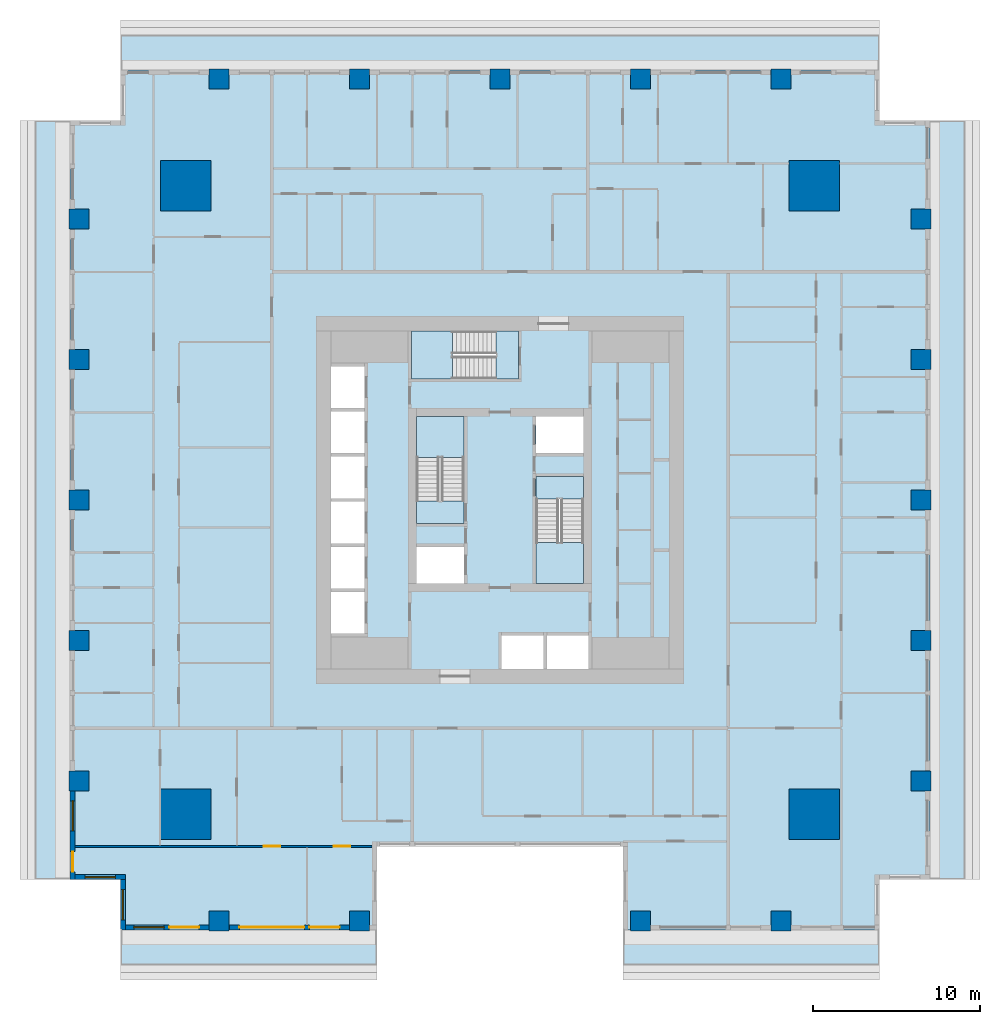
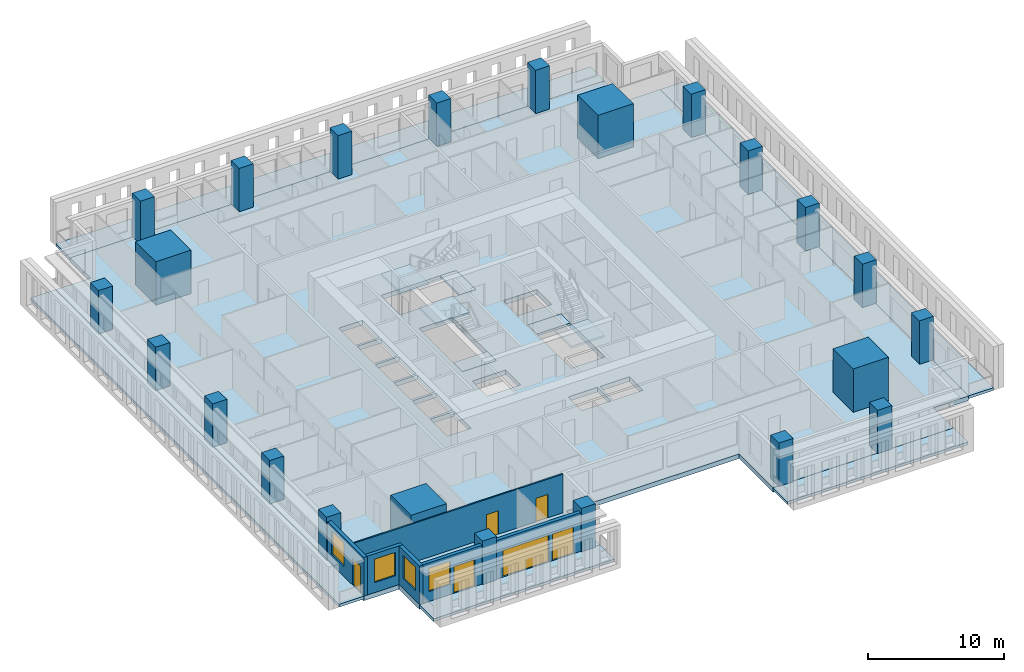
# One storey, part 1 of 15: 23 columns, 12 slabs, 6 doors, 6 walls, 4 windows, 10 openings, 3 elements without a shape of their own.
"""IFC4 building model written with IfcOpenShell, lengths in metres."""

from ifc_helpers import new_model, si_unit, direction, frame, frame_2d, origin, origin_2d, place, context, subcontext, project, spatial, polyline, rectangle, outline, extrude, material, layer, layer_set, material_profile, profile_set, type_object, element, fill, aggregate, save


model = new_model("IFC4")

# Units and contexts
model_context = context("Model", 3, precision=1e-05, world=origin(), true_north=direction((0.0, 1.0)))
body_context = subcontext(model_context, "Body", "Model", "MODEL_VIEW")
ifc_project = project(units=[si_unit("LENGTHUNIT", "METRE"), si_unit("AREAUNIT", "SQUARE_METRE"), si_unit("VOLUMEUNIT", "CUBIC_METRE"), si_unit("PLANEANGLEUNIT", "RADIAN"), si_unit("MASSUNIT", "GRAM", prefix="KILO")], contexts=[model_context])

# Site, building, storey
site_placement = place(None, origin())
site = spatial("IfcSite", under=ifc_project, at=site_placement, CompositionType="ELEMENT")
building_placement = place(site_placement, origin())
building = spatial("IfcBuilding", under=site, at=building_placement, Name="Khepri Terraces", CompositionType="ELEMENT")
storey_placement = place(building_placement, frame((0.0, 0.0, 46.5)))
storey = spatial("IfcBuildingStorey", under=building, at=storey_placement, Name="L10", CompositionType="ELEMENT", Elevation=46.5)

# Columns
ifc_material_1 = material(Name="Concrete C80/95", Category="concrete")
ifc_material_profile_1 = material_profile(ifc_material_1, rectangle(XDim=3.0, YDim=3.0, at=origin_2d()), Name="Concrete C80/95", Category="concrete")
ifc_profile_set_1 = profile_set([ifc_material_profile_1], Name="Concrete C80/95")
column_type_1 = type_object("IfcColumnType", Name="Mega column RC 3000x3000 C80/95", PredefinedType="COLUMN", material=ifc_profile_set_1)
for number, where, z_axis, x_axis, name in (
    (1, (18.800048828125, 18.800048828125, 0.0), (0.0, 0.0, 1.0), (1.0, 0.0, 0.0), "Mega column MEN L10"),
    (2, (18.800048828125, -18.800048828125, 0.0), (0.0, 0.0, 1.0), (1.0, 0.0, 0.0), "Mega column MES L10"),
    (3, (-18.800048828125, 18.800048828125, 0.0), (0.0, 0.0, 1.0), (1.0, 0.0, 0.0), "Mega column MWN L10"),
    (4, (-18.800048828125, -18.800048828125, 0.0), (0.0, 0.0, 1.0), (1.0, 0.0, 0.0), "Mega column MWS L10"),
):
    element("IfcColumn", number, at=place(storey_placement, frame(where, z_axis=z_axis, x_axis=x_axis)), inside=storey, type_object=column_type_1, Name=name, PredefinedType="COLUMN", context=body_context, shape_type="SweptSolid", body=[
        extrude(rectangle(XDim=3.0, YDim=3.0, at=origin_2d()), origin(), (0.0, 0.0, 1.0), 3.89990234375),
    ])
ifc_material_profile_2 = material_profile(ifc_material_1, rectangle(XDim=1.199951171875, YDim=1.199951171875, at=origin_2d()), Name="Concrete C80/95", Category="concrete")
ifc_profile_set_2 = profile_set([ifc_material_profile_2], Name="Concrete C80/95")
column_type_2 = type_object("IfcColumnType", Name="Tower column RC 1200x1200 C80/95", PredefinedType="COLUMN", material=ifc_profile_set_2)
for number, where, z_axis, x_axis, name in (
    (5, (25.199951171875, 0.0, 0.0), (0.0, 0.0, 1.0), (1.0, 0.0, 0.0), "Perimeter column PE+000a L10"),
    (6, (25.199951171875, 8.39990234375, 0.0), (0.0, 0.0, 1.0), (1.0, 0.0, 0.0), "Perimeter column PE+084a L10"),
    (7, (25.199951171875, 16.800048828125, 0.0), (0.0, 0.0, 1.0), (1.0, 0.0, 0.0), "Perimeter column PE+168a L10"),
    (8, (25.199951171875, -8.39990234375, 0.0), (0.0, 0.0, 1.0), (1.0, 0.0, 0.0), "Perimeter column PE-084a L10"),
    (9, (25.199951171875, -16.800048828125, 0.0), (0.0, 0.0, 1.0), (1.0, 0.0, 0.0), "Perimeter column PE-168a L10"),
    (10, (0.0, 25.199951171875, 0.0), (0.0, 0.0, 1.0), (1.0, 0.0, 0.0), "Perimeter column PN+000a L10"),
    (11, (-8.39990234375, 25.199951171875, 0.0), (0.0, 0.0, 1.0), (1.0, 0.0, 0.0), "Perimeter column PN+084a L10"),
    (12, (-16.800048828125, 25.199951171875, 0.0), (0.0, 0.0, 1.0), (1.0, 0.0, 0.0), "Perimeter column PN+168a L10"),
    (13, (8.39990234375, 25.199951171875, 0.0), (0.0, 0.0, 1.0), (1.0, 0.0, 0.0), "Perimeter column PN-084a L10"),
    (14, (16.800048828125, 25.199951171875, 0.0), (0.0, 0.0, 1.0), (1.0, 0.0, 0.0), "Perimeter column PN-168a L10"),
    (15, (8.39990234375, -25.199951171875, 0.0), (0.0, 0.0, 1.0), (1.0, 0.0, 0.0), "Perimeter column PS+084a L10"),
    (16, (16.800048828125, -25.199951171875, 0.0), (0.0, 0.0, 1.0), (1.0, 0.0, 0.0), "Perimeter column PS+168a L10"),
    (17, (-8.39990234375, -25.199951171875, 0.0), (0.0, 0.0, 1.0), (1.0, 0.0, 0.0), "Perimeter column PS-084a L10"),
    (18, (-16.800048828125, -25.199951171875, 0.0), (0.0, 0.0, 1.0), (1.0, 0.0, 0.0), "Perimeter column PS-168a L10"),
    (19, (-25.199951171875, 0.0, 0.0), (0.0, 0.0, 1.0), (1.0, 0.0, 0.0), "Perimeter column PW+000a L10"),
    (20, (-25.199951171875, -8.39990234375, 0.0), (0.0, 0.0, 1.0), (1.0, 0.0, 0.0), "Perimeter column PW+084a L10"),
    (21, (-25.199951171875, -16.800048828125, 0.0), (0.0, 0.0, 1.0), (1.0, 0.0, 0.0), "Perimeter column PW+168a L10"),
    (22, (-25.199951171875, 8.39990234375, 0.0), (0.0, 0.0, 1.0), (1.0, 0.0, 0.0), "Perimeter column PW-084a L10"),
    (23, (-25.199951171875, 16.800048828125, 0.0), (0.0, 0.0, 1.0), (1.0, 0.0, 0.0), "Perimeter column PW-168a L10"),
):
    element("IfcColumn", number, at=place(storey_placement, frame(where, z_axis=z_axis, x_axis=x_axis)), inside=storey, type_object=column_type_2, Name=name, PredefinedType="COLUMN", context=body_context, shape_type="SweptSolid", body=[
        extrude(rectangle(XDim=1.199951171875, YDim=1.199951171875, at=origin_2d()), origin(), (0.0, 0.0, 1.0), 3.89990234375),
    ])

# Slabs
ifc_material_2 = material(Name="Concrete C40/50", Category="concrete")
ifc_layer_1 = layer(ifc_material_2, 0.419921875, Name="Concrete C40/50", Category="concrete")
ifc_layer_set_1 = layer_set([ifc_layer_1], Name="Concrete C40/50")
slab_type_1 = type_object("IfcSlabType", Name="Flat plate 420", PredefinedType="FLOOR", material=ifc_layer_set_1)
slab_1_placement = place(storey_placement, frame((0.0, 0.0, -0.419921875)))
element("IfcSlab", 24, at=slab_1_placement, inside=storey, type_object=slab_type_1, Name="Floor slab F01 L10", PredefinedType="FLOOR", context=body_context, shape_type="SweptSolid", body=[
    extrude(outline(polyline([(22.719970703125, 22.719970703125), (25.719970703125, 22.719970703125), (25.719970703125, -22.719970703125), (22.719970703125, -22.719970703125), (22.719970703125, -25.719970703125), (7.35009765625, -25.719970703125), (7.35009765625, -20.719970703125), (-7.35009765625, -20.719970703125), (-7.35009765625, -25.719970703125), (-22.719970703125, -25.719970703125), (-22.719970703125, -22.719970703125), (-25.719970703125, -22.719970703125), (-25.719970703125, 22.719970703125), (-22.719970703125, 22.719970703125), (-22.719970703125, 25.719970703125), (22.719970703125, 25.719970703125), (22.719970703125, 22.719970703125)]), holes=[polyline([(5.0, 5.0), (2.14990234375, 5.0), (2.14990234375, 2.800048828125), (5.0, 2.800048828125), (5.0, 5.0)]), polyline([(-2.14990234375, -5.0), (-2.14990234375, -2.800048828125), (-5.0, -2.800048828125), (-5.0, -5.0), (-2.14990234375, -5.0)]), polyline([(-10.10009765625, -8.0), (-8.10009765625, -8.0), (-8.10009765625, -5.5), (-10.10009765625, -5.5), (-10.10009765625, -8.0)]), polyline([(-10.10009765625, -2.800048828125), (-10.10009765625, -5.300048828125), (-8.10009765625, -5.300048828125), (-8.10009765625, -2.800048828125), (-10.10009765625, -2.800048828125)]), polyline([(-8.10009765625, -0.10009765625), (-10.10009765625, -0.10009765625), (-10.10009765625, -2.60009765625), (-8.10009765625, -2.60009765625), (-8.10009765625, -0.10009765625)]), polyline([(-8.10009765625, 0.10009765625), (-8.10009765625, 2.60009765625), (-10.10009765625, 2.60009765625), (-10.10009765625, 0.10009765625), (-8.10009765625, 0.10009765625)]), polyline([(-10.10009765625, 2.800048828125), (-8.10009765625, 2.800048828125), (-8.10009765625, 5.300048828125), (-10.10009765625, 5.300048828125), (-10.10009765625, 2.800048828125)]), polyline([(-10.10009765625, 8.0), (-10.10009765625, 5.5), (-8.10009765625, 5.5), (-8.10009765625, 8.0), (-10.10009765625, 8.0)]), polyline([(2.60009765625, -8.10009765625), (0.10009765625, -8.10009765625), (0.10009765625, -10.10009765625), (2.60009765625, -10.10009765625), (2.60009765625, -8.10009765625)]), polyline([(5.300048828125, -10.10009765625), (5.300048828125, -8.10009765625), (2.800048828125, -8.10009765625), (2.800048828125, -10.10009765625), (5.300048828125, -10.10009765625)]), polyline([(-5.0, -1.39990234375), (-2.14990234375, -1.39990234375), (-2.14990234375, 5.0), (-5.0, 5.0), (-5.0, -1.39990234375)]), polyline([(5.0, -5.0), (5.0, 1.39990234375), (2.14990234375, 1.39990234375), (2.14990234375, -5.0), (5.0, -5.0)]), polyline([(-5.300048828125, 10.10009765625), (-5.300048828125, 7.25), (1.10009765625, 7.25), (1.10009765625, 10.10009765625), (-5.300048828125, 10.10009765625)])]), origin(), (0.0, 0.0, 1.0), 0.419921875),
])
ifc_material_3 = material(Name="Precast concrete C50/60 warm stone", Category="masonry")
ifc_layer_2 = layer(ifc_material_3, 0.25, Name="Precast concrete C50/60 warm stone", Category="masonry")
ifc_layer_set_2 = layer_set([ifc_layer_2], Name="Precast concrete C50/60 warm stone")
slab_type_2 = type_object("IfcSlabType", Name="SLB-BALCONY-250", PredefinedType="FLOOR", material=ifc_layer_set_2)
slab_2_placement = place(storey_placement, frame((0.0, 0.0, -0.25)))
element("IfcSlab", 25, at=slab_2_placement, inside=storey, type_object=slab_type_2, Name="Balcony slab L10 S", PredefinedType="FLOOR", context=body_context, shape_type="SweptSolid", body=[
    extrude(outline(polyline([(-17.39990234375, -25.719970703125), (-22.719970703125, -25.719970703125), (-22.719970703125, -27.820068359375), (-7.35009765625, -27.820068359375), (-7.35009765625, -25.719970703125), (-7.800048828125, -25.719970703125), (-7.800048828125, -25.800048828125), (-9.0, -25.800048828125), (-9.0, -25.719970703125), (-16.199951171875, -25.719970703125), (-16.199951171875, -25.800048828125), (-17.39990234375, -25.800048828125), (-17.39990234375, -25.719970703125)])), origin(), (0.0, 0.0, 1.0), 0.25),
])
slab_3_placement = place(storey_placement, frame((0.0, 0.0, -0.25)))
element("IfcSlab", 26, at=slab_3_placement, inside=storey, type_object=slab_type_2, Name="Balcony slab L10 S", PredefinedType="FLOOR", context=body_context, shape_type="SweptSolid", body=[
    extrude(outline(polyline([(7.800048828125, -25.719970703125), (7.35009765625, -25.719970703125), (7.35009765625, -27.820068359375), (22.719970703125, -27.820068359375), (22.719970703125, -25.719970703125), (17.39990234375, -25.719970703125), (17.39990234375, -25.800048828125), (16.199951171875, -25.800048828125), (16.199951171875, -25.719970703125), (9.0, -25.719970703125), (9.0, -25.800048828125), (7.800048828125, -25.800048828125), (7.800048828125, -25.719970703125)])), origin(), (0.0, 0.0, 1.0), 0.25),
])
slab_4_placement = place(storey_placement, frame((0.0, 0.0, -0.25)))
element("IfcSlab", 27, at=slab_4_placement, inside=storey, type_object=slab_type_2, Name="Balcony slab L10 E", PredefinedType="FLOOR", context=body_context, shape_type="SweptSolid", body=[
    extrude(outline(polyline([(25.719970703125, -17.39990234375), (25.719970703125, -22.719970703125), (27.820068359375, -22.719970703125), (27.820068359375, 22.719970703125), (25.719970703125, 22.719970703125), (25.719970703125, 17.39990234375), (25.800048828125, 17.39990234375), (25.800048828125, 16.199951171875), (25.719970703125, 16.199951171875), (25.719970703125, 9.0), (25.800048828125, 9.0), (25.800048828125, 7.800048828125), (25.719970703125, 7.800048828125), (25.719970703125, 0.60009765625), (25.800048828125, 0.60009765625), (25.800048828125, -0.60009765625), (25.719970703125, -0.60009765625), (25.719970703125, -7.800048828125), (25.800048828125, -7.800048828125), (25.800048828125, -9.0), (25.719970703125, -9.0), (25.719970703125, -16.199951171875), (25.800048828125, -16.199951171875), (25.800048828125, -17.39990234375), (25.719970703125, -17.39990234375)])), origin(), (0.0, 0.0, 1.0), 0.25),
])
slab_5_placement = place(storey_placement, frame((0.0, 0.0, -0.25)))
element("IfcSlab", 28, at=slab_5_placement, inside=storey, type_object=slab_type_2, Name="Balcony slab L10 N", PredefinedType="FLOOR", context=body_context, shape_type="SweptSolid", body=[
    extrude(outline(polyline([(17.39990234375, 25.719970703125), (22.719970703125, 25.719970703125), (22.719970703125, 27.820068359375), (-22.719970703125, 27.820068359375), (-22.719970703125, 25.719970703125), (-17.39990234375, 25.719970703125), (-17.39990234375, 25.800048828125), (-16.199951171875, 25.800048828125), (-16.199951171875, 25.719970703125), (-9.0, 25.719970703125), (-9.0, 25.800048828125), (-7.800048828125, 25.800048828125), (-7.800048828125, 25.719970703125), (-0.60009765625, 25.719970703125), (-0.60009765625, 25.800048828125), (0.60009765625, 25.800048828125), (0.60009765625, 25.719970703125), (7.800048828125, 25.719970703125), (7.800048828125, 25.800048828125), (9.0, 25.800048828125), (9.0, 25.719970703125), (16.199951171875, 25.719970703125), (16.199951171875, 25.800048828125), (17.39990234375, 25.800048828125), (17.39990234375, 25.719970703125)])), origin(), (0.0, 0.0, 1.0), 0.25),
])
slab_6_placement = place(storey_placement, frame((0.0, 0.0, -0.25)))
element("IfcSlab", 29, at=slab_6_placement, inside=storey, type_object=slab_type_2, Name="Balcony slab L10 W", PredefinedType="FLOOR", context=body_context, shape_type="SweptSolid", body=[
    extrude(outline(polyline([(-25.719970703125, 17.39990234375), (-25.719970703125, 22.719970703125), (-27.820068359375, 22.719970703125), (-27.820068359375, -22.719970703125), (-25.719970703125, -22.719970703125), (-25.719970703125, -17.39990234375), (-25.800048828125, -17.39990234375), (-25.800048828125, -16.199951171875), (-25.719970703125, -16.199951171875), (-25.719970703125, -9.0), (-25.800048828125, -9.0), (-25.800048828125, -7.800048828125), (-25.719970703125, -7.800048828125), (-25.719970703125, -0.60009765625), (-25.800048828125, -0.60009765625), (-25.800048828125, 0.60009765625), (-25.719970703125, 0.60009765625), (-25.719970703125, 7.800048828125), (-25.800048828125, 7.800048828125), (-25.800048828125, 9.0), (-25.719970703125, 9.0), (-25.719970703125, 16.199951171875), (-25.800048828125, 16.199951171875), (-25.800048828125, 17.39990234375), (-25.719970703125, 17.39990234375)])), origin(), (0.0, 0.0, 1.0), 0.25),
])

# Stair, slabs
stair_type = type_object("IfcStairType", Name="STAIR-RC-22R", PredefinedType="HALF_TURN_STAIR", material=ifc_material_2)
stair_1_placement = place(storey_placement, origin())
stair_1 = element("IfcStair", 30, at=stair_1_placement, inside=storey, type_object=stair_type, Name="L10 Exit Stair ST-1", PredefinedType="HALF_TURN_STAIR")
ifc_layer_3 = layer(ifc_material_2, 0.199951171875, Name="Concrete C40/50", Category="concrete")
ifc_layer_set_3 = layer_set([ifc_layer_3], Name="Concrete C40/50")
slab_type_3 = type_object("IfcSlabType", Name="SLB-CORE-LANDING", PredefinedType="LANDING", material=ifc_layer_set_3)
slab_7_placement = place(storey_placement, frame((0.0, 0.0, -0.199951171875)))
slab_7 = element("IfcSlab", 31, at=slab_7_placement, type_object=slab_type_3, Name="ST-1 landing 1", PredefinedType="LANDING", context=body_context, shape_type="SweptSolid", body=[
    extrude(outline(polyline([(-2.14990234375, -1.39990234375), (-2.14990234375, -0.050048828125), (-5.0, -0.050048828125), (-5.0, -1.39990234375), (-2.14990234375, -1.39990234375)])), origin(), (0.0, 0.0, 1.0), 0.199951171875),
])
slab_8_placement = place(storey_placement, frame((0.0, 0.0, 1.75)))
slab_8 = element("IfcSlab", 32, at=slab_8_placement, type_object=slab_type_3, Name="ST-1 landing 2", PredefinedType="LANDING", context=body_context, shape_type="SweptSolid", body=[
    extrude(outline(polyline([(-2.14990234375, 2.550048828125), (-2.14990234375, 5.0), (-5.0, 5.0), (-5.0, 2.550048828125), (-2.14990234375, 2.550048828125)])), origin(), (0.0, 0.0, 1.0), 0.199951171875),
])
aggregate(stair_1, [slab_7, slab_8])

stair_2_placement = place(storey_placement, origin())
stair_2 = element("IfcStair", 33, at=stair_2_placement, inside=storey, type_object=stair_type, Name="L10 Exit Stair ST-2", PredefinedType="HALF_TURN_STAIR")
slab_9_placement = place(storey_placement, frame((0.0, 0.0, -0.199951171875)))
slab_9 = element("IfcSlab", 34, at=slab_9_placement, type_object=slab_type_3, Name="ST-2 landing 1", PredefinedType="LANDING", context=body_context, shape_type="SweptSolid", body=[
    extrude(outline(polyline([(2.14990234375, 1.39990234375), (2.14990234375, 0.050048828125), (5.0, 0.050048828125), (5.0, 1.39990234375), (2.14990234375, 1.39990234375)])), origin(), (0.0, 0.0, 1.0), 0.199951171875),
])
slab_10_placement = place(storey_placement, frame((0.0, 0.0, 1.75)))
slab_10 = element("IfcSlab", 35, at=slab_10_placement, type_object=slab_type_3, Name="ST-2 landing 2", PredefinedType="LANDING", context=body_context, shape_type="SweptSolid", body=[
    extrude(outline(polyline([(2.14990234375, -2.550048828125), (2.14990234375, -5.0), (5.0, -5.0), (5.0, -2.550048828125), (2.14990234375, -2.550048828125)])), origin(), (0.0, 0.0, 1.0), 0.199951171875),
])
aggregate(stair_2, [slab_9, slab_10])

stair_3_placement = place(storey_placement, origin())
stair_3 = element("IfcStair", 36, at=stair_3_placement, inside=storey, type_object=stair_type, Name="L10 Exit Stair ST-3", PredefinedType="HALF_TURN_STAIR")
slab_11_placement = place(storey_placement, frame((0.0, 0.0, -0.199951171875)))
slab_11 = element("IfcSlab", 37, at=slab_11_placement, type_object=slab_type_3, Name="ST-3 landing 1", PredefinedType="LANDING", context=body_context, shape_type="SweptSolid", body=[
    extrude(outline(polyline([(1.10009765625, 10.10009765625), (-0.25, 10.10009765625), (-0.25, 7.25), (1.10009765625, 7.25), (1.10009765625, 10.10009765625)])), origin(), (0.0, 0.0, 1.0), 0.199951171875),
])
slab_12_placement = place(storey_placement, frame((0.0, 0.0, 1.75)))
slab_12 = element("IfcSlab", 38, at=slab_12_placement, type_object=slab_type_3, Name="ST-3 landing 2", PredefinedType="LANDING", context=body_context, shape_type="SweptSolid", body=[
    extrude(outline(polyline([(-2.85009765625, 10.10009765625), (-5.300048828125, 10.10009765625), (-5.300048828125, 7.25), (-2.85009765625, 7.25), (-2.85009765625, 10.10009765625)])), origin(), (0.0, 0.0, 1.0), 0.199951171875),
])
aggregate(stair_3, [slab_11, slab_12])

# Wall, openings, door, window
ifc_layer_4 = layer(ifc_material_3, 0.300048828125, Name="Precast concrete C50/60 warm stone", Category="masonry")
ifc_layer_set_4 = layer_set([ifc_layer_4], Name="Precast concrete C50/60 warm stone")
wall_type_1 = type_object("IfcWallType", Name="WL-EXT-PRECAST-300", PredefinedType="STANDARD", material=ifc_layer_set_4)
wall_1_placement = place(storey_placement, frame((-25.570068359375, -17.39990234375, 0.0), z_axis=(0.0, 0.0, 1.0), x_axis=(0.0, -1.0, 0.0)))
wall_1 = element("IfcWall", 39, at=wall_1_placement, inside=storey, type_object=wall_type_1, Name="External wall L10 W", PredefinedType="STANDARD", context=body_context, shape_type="SweptSolid", body=[
    extrude(rectangle(XDim=5.320068359375, YDim=0.300048828125, at=frame_2d((2.66015625, 0.0))), origin(), (0.0, 0.0, 1.0), 3.47998046875),
])
opening_1_placement = place(wall_1_placement, frame((0.60009765625, 0.0, 0.89990234375)))
opening_1 = element("IfcOpeningElement", 40, at=opening_1_placement, cuts=wall_1, Name="Opening W1", PredefinedType="OPENING", context=body_context, shape_type="SweptSolid", body=[
    extrude(rectangle(XDim=1.800048828125, YDim=2.10009765625, at=frame_2d((0.89990234375, 1.050048828125))), frame((0.0, 0.16015625, 0.0), z_axis=(0.0, -1.0, 0.0), x_axis=(1.0, 0.0, 0.0)), (0.0, 0.0, 1.0), 0.320068359375),
])
opening_2_placement = place(wall_1_placement, frame((3.64501953125, 0.0, 0.0)))
opening_2 = element("IfcOpeningElement", 41, at=opening_2_placement, cuts=wall_1, Name="Opening ED-L10-18", PredefinedType="OPENING", context=body_context, shape_type="SweptSolid", body=[
    extrude(rectangle(XDim=1.199951171875, YDim=2.39990234375, at=frame_2d((0.60009765625, 1.199951171875))), frame((0.0, 0.16015625, 0.0), z_axis=(0.0, -1.0, 0.0), x_axis=(1.0, 0.0, 0.0)), (0.0, 0.0, 1.0), 0.320068359375),
])
ifc_material_4 = material(Name="Anodised aluminium bronze glazed door", Category="aluminium")
door_type_1 = type_object("IfcDoorType", Name="DR-BAL-SLIDE-1200x2400", OperationType="NOTDEFINED", PredefinedType="DOOR", material=ifc_material_4)
door_1_placement = place(opening_2_placement, origin())
door_1 = element("IfcDoor", 42, at=door_1_placement, inside=storey, type_object=door_type_1, Name="Balcony door L10 W", OperationType="SLIDING_TO_RIGHT", OverallHeight=2.39990234375, OverallWidth=1.199951171875, PredefinedType="DOOR", context=body_context, shape_type="SweptSolid", body=[
    extrude(rectangle(XDim=1.199951171875, YDim=2.39990234375, at=frame_2d((0.60009765625, 1.199951171875))), frame((0.0, 0.02490234375, 0.0), z_axis=(0.0, -1.0, 0.0), x_axis=(1.0, 0.0, 0.0)), (0.0, 0.0, 1.0), 0.050048828125),
])
fill(opening_2, door_1)
ifc_material_5 = material(Name="Clear glass", Category="glass")
window_type = type_object("IfcWindowType", Name="WIN-RES-1800x2100", PartitioningType="SINGLE_PANEL", PredefinedType="WINDOW", material=ifc_material_5)
window_1_placement = place(opening_1_placement, origin())
window_1 = element("IfcWindow", 43, at=window_1_placement, inside=storey, type_object=window_type, Name="Window L10 W", OverallHeight=2.10009765625, OverallWidth=1.800048828125, PartitioningType="SINGLE_PANEL", PredefinedType="WINDOW", context=body_context, shape_type="SweptSolid", body=[
    extrude(rectangle(XDim=1.800048828125, YDim=2.10009765625, at=frame_2d((0.89990234375, 1.050048828125))), frame((0.0, 0.030029296875, 0.0), z_axis=(0.0, -1.0, 0.0), x_axis=(1.0, 0.0, 0.0)), (0.0, 0.0, 1.0), 0.06005859375),
])
fill(opening_1, window_1)

# Wall, opening, window
wall_2_placement = place(storey_placement, frame((-25.419921875, -22.570068359375, 0.0), z_axis=(0.0, 0.0, 1.0), x_axis=(1.0, 0.0, 0.0)))
wall_2 = element("IfcWall", 44, at=wall_2_placement, inside=storey, type_object=wall_type_1, Name="External wall L10 S", PredefinedType="STANDARD", context=body_context, shape_type="SweptSolid", body=[
    extrude(rectangle(XDim=3.0, YDim=0.300048828125, at=frame_2d((1.5, 0.0))), origin(), (0.0, 0.0, 1.0), 3.47998046875),
])
opening_3_placement = place(wall_2_placement, frame((0.60009765625, 0.0, 0.89990234375)))
opening_3 = element("IfcOpeningElement", 45, at=opening_3_placement, cuts=wall_2, Name="Opening W1", PredefinedType="OPENING", context=body_context, shape_type="SweptSolid", body=[
    extrude(rectangle(XDim=1.800048828125, YDim=2.10009765625, at=frame_2d((0.89990234375, 1.050048828125))), frame((0.0, 0.16015625, 0.0), z_axis=(0.0, -1.0, 0.0), x_axis=(1.0, 0.0, 0.0)), (0.0, 0.0, 1.0), 0.320068359375),
])
window_2_placement = place(opening_3_placement, origin())
window_2 = element("IfcWindow", 46, at=window_2_placement, inside=storey, type_object=window_type, Name="Window L10 S", OverallHeight=2.10009765625, OverallWidth=1.800048828125, PartitioningType="SINGLE_PANEL", PredefinedType="WINDOW", context=body_context, shape_type="SweptSolid", body=[
    extrude(rectangle(XDim=1.800048828125, YDim=2.10009765625, at=frame_2d((0.89990234375, 1.050048828125))), frame((0.0, 0.030029296875, 0.0), z_axis=(0.0, -1.0, 0.0), x_axis=(1.0, 0.0, 0.0)), (0.0, 0.0, 1.0), 0.06005859375),
])
fill(opening_3, window_2)

wall_3_placement = place(storey_placement, frame((-22.570068359375, -22.719970703125, 0.0), z_axis=(0.0, 0.0, 1.0), x_axis=(0.0, -1.0, 0.0)))
wall_3 = element("IfcWall", 47, at=wall_3_placement, inside=storey, type_object=wall_type_1, Name="External wall L10 W", PredefinedType="STANDARD", context=body_context, shape_type="SweptSolid", body=[
    extrude(rectangle(XDim=3.0, YDim=0.300048828125, at=frame_2d((1.5, 0.0))), origin(), (0.0, 0.0, 1.0), 3.47998046875),
])
opening_4_placement = place(wall_3_placement, frame((0.60009765625, 0.0, 0.89990234375)))
opening_4 = element("IfcOpeningElement", 48, at=opening_4_placement, cuts=wall_3, Name="Opening W1", PredefinedType="OPENING", context=body_context, shape_type="SweptSolid", body=[
    extrude(rectangle(XDim=1.800048828125, YDim=2.10009765625, at=frame_2d((0.89990234375, 1.050048828125))), frame((0.0, 0.16015625, 0.0), z_axis=(0.0, -1.0, 0.0), x_axis=(1.0, 0.0, 0.0)), (0.0, 0.0, 1.0), 0.320068359375),
])
window_3_placement = place(opening_4_placement, origin())
window_3 = element("IfcWindow", 49, at=window_3_placement, inside=storey, type_object=window_type, Name="Window L10 W", OverallHeight=2.10009765625, OverallWidth=1.800048828125, PartitioningType="SINGLE_PANEL", PredefinedType="WINDOW", context=body_context, shape_type="SweptSolid", body=[
    extrude(rectangle(XDim=1.800048828125, YDim=2.10009765625, at=frame_2d((0.89990234375, 1.050048828125))), frame((0.0, 0.030029296875, 0.0), z_axis=(0.0, -1.0, 0.0), x_axis=(1.0, 0.0, 0.0)), (0.0, 0.0, 1.0), 0.06005859375),
])
fill(opening_4, window_3)

# Wall, openings, door, window
wall_4_placement = place(storey_placement, frame((-22.419921875, -25.570068359375, 0.0), z_axis=(0.0, 0.0, 1.0), x_axis=(1.0, 0.0, 0.0)))
wall_4 = element("IfcWall", 50, at=wall_4_placement, inside=storey, type_object=wall_type_1, Name="External wall L10 S", PredefinedType="STANDARD", context=body_context, shape_type="SweptSolid", body=[
    extrude(rectangle(XDim=5.02001953125, YDim=0.300048828125, at=frame_2d((2.510009765625, 0.0))), origin(), (0.0, 0.0, 1.0), 3.47998046875),
])
opening_5_placement = place(wall_4_placement, frame((0.52001953125, 0.0, 0.89990234375)))
opening_5 = element("IfcOpeningElement", 51, at=opening_5_placement, cuts=wall_4, Name="Opening W1", PredefinedType="OPENING", context=body_context, shape_type="SweptSolid", body=[
    extrude(rectangle(XDim=1.800048828125, YDim=2.10009765625, at=frame_2d((0.89990234375, 1.050048828125))), frame((0.0, 0.16015625, 0.0), z_axis=(0.0, -1.0, 0.0), x_axis=(1.0, 0.0, 0.0)), (0.0, 0.0, 1.0), 0.320068359375),
])
opening_6_placement = place(wall_4_placement, frame((2.6201171875, 0.0, 0.0)))
opening_6 = element("IfcOpeningElement", 52, at=opening_6_placement, cuts=wall_4, Name="Opening ED-L10-19", PredefinedType="OPENING", context=body_context, shape_type="SweptSolid", body=[
    extrude(rectangle(XDim=1.800048828125, YDim=2.39990234375, at=frame_2d((0.89990234375, 1.199951171875))), frame((0.0, 0.16015625, 0.0), z_axis=(0.0, -1.0, 0.0), x_axis=(1.0, 0.0, 0.0)), (0.0, 0.0, 1.0), 0.320068359375),
])
door_type_2 = type_object("IfcDoorType", Name="DR-BAL-SLIDE-1800x2400", OperationType="NOTDEFINED", PredefinedType="DOOR", material=ifc_material_4)
door_2_placement = place(opening_6_placement, origin())
door_2 = element("IfcDoor", 53, at=door_2_placement, inside=storey, type_object=door_type_2, Name="Balcony door L10 S", OperationType="SLIDING_TO_RIGHT", OverallHeight=2.39990234375, OverallWidth=1.800048828125, PredefinedType="DOOR", context=body_context, shape_type="SweptSolid", body=[
    extrude(rectangle(XDim=1.800048828125, YDim=2.39990234375, at=frame_2d((0.89990234375, 1.199951171875))), frame((0.0, 0.02490234375, 0.0), z_axis=(0.0, -1.0, 0.0), x_axis=(1.0, 0.0, 0.0)), (0.0, 0.0, 1.0), 0.050048828125),
])
fill(opening_6, door_2)
window_4_placement = place(opening_5_placement, origin())
window_4 = element("IfcWindow", 54, at=window_4_placement, inside=storey, type_object=window_type, Name="Window L10 S", OverallHeight=2.10009765625, OverallWidth=1.800048828125, PartitioningType="SINGLE_PANEL", PredefinedType="WINDOW", context=body_context, shape_type="SweptSolid", body=[
    extrude(rectangle(XDim=1.800048828125, YDim=2.10009765625, at=frame_2d((0.89990234375, 1.050048828125))), frame((0.0, 0.030029296875, 0.0), z_axis=(0.0, -1.0, 0.0), x_axis=(1.0, 0.0, 0.0)), (0.0, 0.0, 1.0), 0.06005859375),
])
fill(opening_5, window_4)

# Wall, openings, doors
wall_5_placement = place(storey_placement, frame((-16.199951171875, -25.570068359375, 0.0), z_axis=(0.0, 0.0, 1.0), x_axis=(1.0, 0.0, 0.0)))
wall_5 = element("IfcWall", 55, at=wall_5_placement, inside=storey, type_object=wall_type_1, Name="External wall L10 S", PredefinedType="STANDARD", context=body_context, shape_type="SweptSolid", body=[
    extrude(rectangle(XDim=7.199951171875, YDim=0.300048828125, at=frame_2d((3.60009765625, 0.0))), origin(), (0.0, 0.0, 1.0), 3.47998046875),
])
opening_7_placement = place(wall_5_placement, frame((0.60009765625, 0.0, 0.0)))
opening_7 = element("IfcOpeningElement", 56, at=opening_7_placement, cuts=wall_5, Name="Opening ED-L10-20", PredefinedType="OPENING", context=body_context, shape_type="SweptSolid", body=[
    extrude(rectangle(XDim=3.89990234375, YDim=2.39990234375, at=frame_2d((1.949951171875, 1.199951171875))), frame((0.0, 0.16015625, 0.0), z_axis=(0.0, -1.0, 0.0), x_axis=(1.0, 0.0, 0.0)), (0.0, 0.0, 1.0), 0.320068359375),
])
opening_8_placement = place(wall_5_placement, frame((4.800048828125, 0.0, 0.0)))
opening_8 = element("IfcOpeningElement", 57, at=opening_8_placement, cuts=wall_5, Name="Opening ED-L10-21", PredefinedType="OPENING", context=body_context, shape_type="SweptSolid", body=[
    extrude(rectangle(XDim=1.800048828125, YDim=2.39990234375, at=frame_2d((0.89990234375, 1.199951171875))), frame((0.0, 0.16015625, 0.0), z_axis=(0.0, -1.0, 0.0), x_axis=(1.0, 0.0, 0.0)), (0.0, 0.0, 1.0), 0.320068359375),
])
door_3_placement = place(opening_8_placement, origin())
door_3 = element("IfcDoor", 58, at=door_3_placement, inside=storey, type_object=door_type_2, Name="Balcony door L10 S", OperationType="SLIDING_TO_RIGHT", OverallHeight=2.39990234375, OverallWidth=1.800048828125, PredefinedType="DOOR", context=body_context, shape_type="SweptSolid", body=[
    extrude(rectangle(XDim=1.800048828125, YDim=2.39990234375, at=frame_2d((0.89990234375, 1.199951171875))), frame((0.0, 0.02490234375, 0.0), z_axis=(0.0, -1.0, 0.0), x_axis=(1.0, 0.0, 0.0)), (0.0, 0.0, 1.0), 0.050048828125),
])
fill(opening_8, door_3)
door_type_3 = type_object("IfcDoorType", Name="DR-BAL-SLIDE-3900x2400", OperationType="NOTDEFINED", PredefinedType="DOOR", material=ifc_material_4)
door_4_placement = place(opening_7_placement, origin())
door_4 = element("IfcDoor", 59, at=door_4_placement, inside=storey, type_object=door_type_3, Name="Balcony door L10 S", OperationType="SLIDING_TO_LEFT", OverallHeight=2.39990234375, OverallWidth=3.89990234375, PredefinedType="DOOR", context=body_context, shape_type="SweptSolid", body=[
    extrude(rectangle(XDim=3.89990234375, YDim=2.39990234375, at=frame_2d((1.949951171875, 1.199951171875))), frame((0.0, 0.02490234375, 0.0), z_axis=(0.0, -1.0, 0.0), x_axis=(1.0, 0.0, 0.0)), (0.0, 0.0, 1.0), 0.050048828125),
])
fill(opening_7, door_4)

ifc_material_6 = material(Name="Gypsum plasterboard partition")
ifc_layer_5 = layer(ifc_material_6, 0.1201171875, Name="Gypsum plasterboard partition")
ifc_layer_set_5 = layer_set([ifc_layer_5], Name="Gypsum plasterboard partition")
wall_type_2 = type_object("IfcWallType", Name="WL-PART-120", PredefinedType="PARTITIONING", material=ifc_layer_set_5)
wall_6_placement = place(storey_placement, frame((-25.419921875, -20.719970703125, 0.0), z_axis=(0.0, 0.0, 1.0), x_axis=(1.0, 0.0, 0.0)))
wall_6 = element("IfcWall", 60, at=wall_6_placement, inside=storey, type_object=wall_type_2, Name="Partition P-004 L10", PredefinedType="PARTITIONING", context=body_context, shape_type="SweptSolid", body=[
    extrude(rectangle(XDim=17.77001953125, YDim=0.1201171875, at=frame_2d((8.885009765625, 0.0))), origin(), (0.0, 0.0, 1.0), 3.47998046875),
])
opening_9_placement = place(wall_6_placement, frame((11.27001953125, 0.0, 0.0)))
opening_9 = element("IfcOpeningElement", 61, at=opening_9_placement, cuts=wall_6, Name="Opening D2", PredefinedType="OPENING", context=body_context, shape_type="SweptSolid", body=[
    extrude(rectangle(XDim=1.0, YDim=2.10009765625, at=frame_2d((0.5, 1.050048828125))), frame((0.0, 0.070068359375, 0.0), z_axis=(0.0, -1.0, 0.0), x_axis=(1.0, 0.0, 0.0)), (0.0, 0.0, 1.0), 0.14013671875),
])
opening_10_placement = place(wall_6_placement, frame((15.469970703125, 0.0, 0.0)))
opening_10 = element("IfcOpeningElement", 62, at=opening_10_placement, cuts=wall_6, Name="Opening D2", PredefinedType="OPENING", context=body_context, shape_type="SweptSolid", body=[
    extrude(rectangle(XDim=1.0, YDim=2.10009765625, at=frame_2d((0.5, 1.050048828125))), frame((0.0, 0.070068359375, 0.0), z_axis=(0.0, -1.0, 0.0), x_axis=(1.0, 0.0, 0.0)), (0.0, 0.0, 1.0), 0.14013671875),
])
ifc_material_7 = material(Name="Timber door leaf, living room door", Category="wood")
door_type_4 = type_object("IfcDoorType", Name="DR-INT-1000", OperationType="NOTDEFINED", PredefinedType="DOOR", material=ifc_material_7)
door_5_placement = place(opening_9_placement, frame((1.0, 0.0, 0.0), z_axis=(0.0, 0.0, 1.0), x_axis=(-1.0, 0.0, 0.0)))
door_5 = element("IfcDoor", 63, at=door_5_placement, inside=storey, type_object=door_type_4, Name="Door Living Room", OperationType="SINGLE_SWING_LEFT", OverallHeight=2.10009765625, OverallWidth=1.0, PredefinedType="DOOR", context=body_context, shape_type="SweptSolid", body=[
    extrude(rectangle(XDim=1.0, YDim=2.10009765625, at=frame_2d((0.5, 1.050048828125))), frame((0.0, 0.02490234375, 0.0), z_axis=(0.0, -1.0, 0.0), x_axis=(1.0, 0.0, 0.0)), (0.0, 0.0, 1.0), 0.050048828125),
])
fill(opening_9, door_5)
door_6_placement = place(opening_10_placement, frame((1.0, 0.0, 0.0), z_axis=(0.0, 0.0, 1.0), x_axis=(-1.0, 0.0, 0.0)))
door_6 = element("IfcDoor", 64, at=door_6_placement, inside=storey, type_object=door_type_4, Name="Door Sun Lounge", OperationType="SINGLE_SWING_LEFT", OverallHeight=2.10009765625, OverallWidth=1.0, PredefinedType="DOOR", context=body_context, shape_type="SweptSolid", body=[
    extrude(rectangle(XDim=1.0, YDim=2.10009765625, at=frame_2d((0.5, 1.050048828125))), frame((0.0, 0.02490234375, 0.0), z_axis=(0.0, -1.0, 0.0), x_axis=(1.0, 0.0, 0.0)), (0.0, 0.0, 1.0), 0.050048828125),
])
fill(opening_10, door_6)

save(model, "model.ifc")
